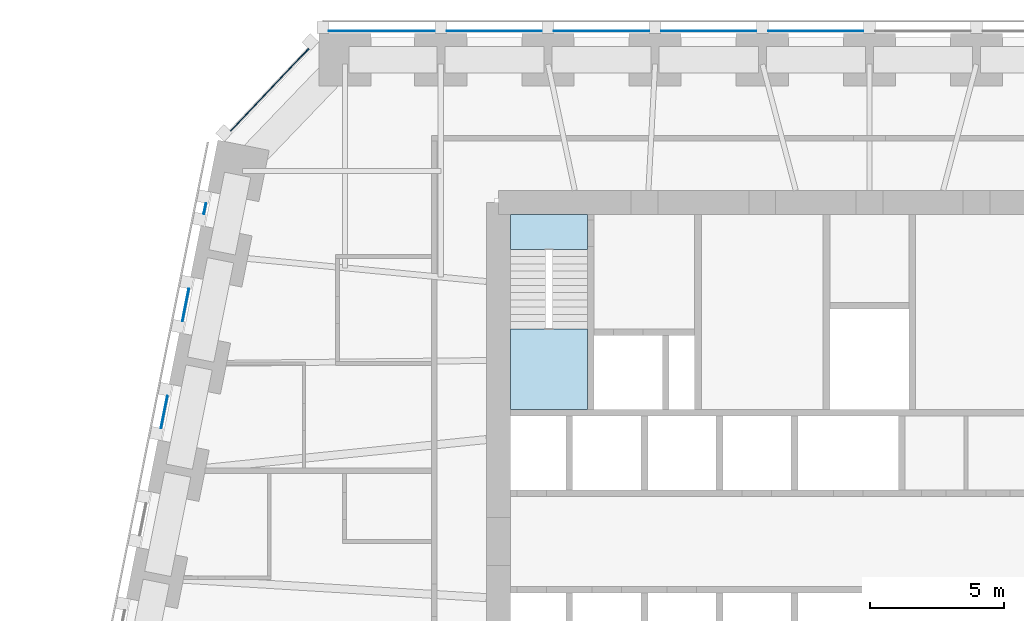
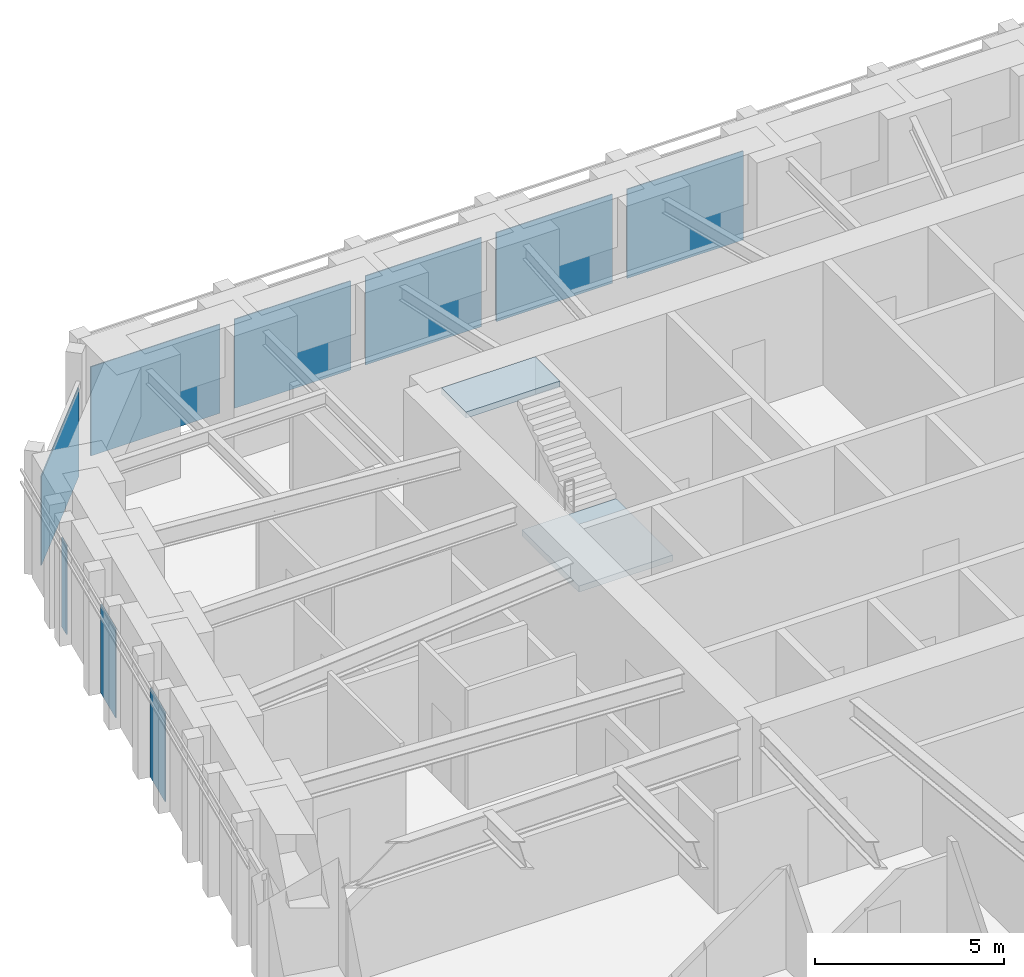
# One storey, part 10 of 16: 9 plates, 2 slabs, 6 elements without a shape of their own.
"""IFC4 building model written with IfcOpenShell, lengths in metres."""

from ifc_helpers import new_model, si_unit, direction, frame, origin, origin_2d, place, context, subcontext, project, spatial, polyline, rectangle, outline, extrude, material, layer, layer_set, type_object, element, aggregate, save


model = new_model("IFC4")

# Units and contexts
model_context = context("Model", 3, precision=1e-05, world=origin(), true_north=direction((0.0, 1.0)))
body_context = subcontext(model_context, "Body", "Model", "MODEL_VIEW")
ifc_project = project(units=[si_unit("LENGTHUNIT", "METRE"), si_unit("AREAUNIT", "SQUARE_METRE"), si_unit("VOLUMEUNIT", "CUBIC_METRE"), si_unit("PLANEANGLEUNIT", "RADIAN"), si_unit("MASSUNIT", "GRAM", prefix="KILO")], contexts=[model_context])

# Site, building, storey
site_placement = place(None, origin())
site = spatial("IfcSite", under=ifc_project, at=site_placement, CompositionType="ELEMENT")
building_placement = place(site_placement, origin())
building = spatial("IfcBuilding", under=site, at=building_placement, Name="Isbrekke Arena Tower", CompositionType="ELEMENT")
storey_placement = place(building_placement, frame((0.0, 0.0, 36.0)))
storey = spatial("IfcBuildingStorey", under=building, at=storey_placement, Name="L06", CompositionType="ELEMENT", Elevation=36.0)

# Curtain wall, plates
ifc_material_1 = material(Name="Glazed aluminium curtain wall", Category="aluminium")
curtain_wall_type = type_object("IfcCurtainWallType", Name="CWL TOWER CURTAIN WALL LOW ZONE", PredefinedType="USERDEFINED", material=ifc_material_1)
curtain_wall_1_placement = place(storey_placement, origin())
curtain_wall_1 = element("IfcCurtainWall", 1, at=curtain_wall_1_placement, inside=storey, type_object=curtain_wall_type, Name="CWL curtain wall L06-N", ObjectType="TOWER CURTAIN WALL LOW ZONE", PredefinedType="USERDEFINED")
ifc_material_2 = material(Name="Triple-glazed clear glass unit", Category="glass")
ifc_layer_1 = layer(ifc_material_2, 0.031982421875)
ifc_layer_set_1 = layer_set([ifc_layer_1], Name="CWL-P VISION PANEL")
plate_type = type_object("IfcPlateType", Name="CWL-P VISION PANEL", PredefinedType="CURTAIN_PANEL", material=ifc_layer_set_1)
plate_1_placement = place(storey_placement, frame((-2.0, 30.25, 0.02001953125), z_axis=(0.0, 0.0, 1.0), x_axis=(-1.0, 0.0, 0.0)))
plate_1 = element("IfcPlate", 2, at=plate_1_placement, type_object=plate_type, Name="CWL-P panel 6", PredefinedType="CURTAIN_PANEL", context=body_context, shape_type="SweptSolid", body=[
    extrude(rectangle(XDim=3.550048828125, YDim=0.031982421875, at=origin_2d()), origin(), (0.0, 0.0, 1.0), 2.8798828125),
])
plate_2_placement = place(storey_placement, frame((-6.0, 30.25, 0.02001953125), z_axis=(0.0, 0.0, 1.0), x_axis=(-1.0, 0.0, 0.0)))
plate_2 = element("IfcPlate", 3, at=plate_2_placement, type_object=plate_type, Name="CWL-P panel 7", PredefinedType="CURTAIN_PANEL", context=body_context, shape_type="SweptSolid", body=[
    extrude(rectangle(XDim=3.550048828125, YDim=0.031982421875, at=origin_2d()), origin(), (0.0, 0.0, 1.0), 2.8798828125),
])
plate_3_placement = place(storey_placement, frame((-10.0, 30.25, 0.02001953125), z_axis=(0.0, 0.0, 1.0), x_axis=(-1.0, 0.0, 0.0)))
plate_3 = element("IfcPlate", 4, at=plate_3_placement, type_object=plate_type, Name="CWL-P panel 8", PredefinedType="CURTAIN_PANEL", context=body_context, shape_type="SweptSolid", body=[
    extrude(rectangle(XDim=3.550048828125, YDim=0.031982421875, at=origin_2d()), origin(), (0.0, 0.0, 1.0), 2.8798828125),
])
plate_4_placement = place(storey_placement, frame((-14.0, 30.25, 0.02001953125), z_axis=(0.0, 0.0, 1.0), x_axis=(-1.0, 0.0, 0.0)))
plate_4 = element("IfcPlate", 5, at=plate_4_placement, type_object=plate_type, Name="CWL-P panel 9", PredefinedType="CURTAIN_PANEL", context=body_context, shape_type="SweptSolid", body=[
    extrude(rectangle(XDim=3.550048828125, YDim=0.031982421875, at=origin_2d()), origin(), (0.0, 0.0, 1.0), 2.8798828125),
])
plate_5_placement = place(storey_placement, frame((-18.199951171875, 30.25, 0.02001953125), z_axis=(0.0, 0.0, 1.0), x_axis=(-1.0, 0.0, 0.0)))
plate_5 = element("IfcPlate", 6, at=plate_5_placement, type_object=plate_type, Name="CWL-P panel 10", PredefinedType="CURTAIN_PANEL", context=body_context, shape_type="SweptSolid", body=[
    extrude(rectangle(XDim=3.949951171875, YDim=0.031982421875, at=origin_2d()), origin(), (0.0, 0.0, 1.0), 2.8798828125),
])
aggregate(curtain_wall_1, [plate_1, plate_2, plate_3, plate_4, plate_5])

# Curtain wall, plate
curtain_wall_2_placement = place(storey_placement, origin())
curtain_wall_2 = element("IfcCurtainWall", 7, at=curtain_wall_2_placement, inside=storey, type_object=curtain_wall_type, Name="CWL curtain wall L06-NW", ObjectType="TOWER CURTAIN WALL LOW ZONE", PredefinedType="USERDEFINED")
plate_6_placement = place(storey_placement, frame((-22.38623046875, 28.054443359375, 0.02001953125), z_axis=(0.0, 0.0, 1.0), x_axis=(-0.68874946192, -0.72499943359, 0.0)))
plate_6 = element("IfcPlate", 8, at=plate_6_placement, type_object=plate_type, Name="CWL-P panel 1", PredefinedType="CURTAIN_PANEL", context=body_context, shape_type="SweptSolid", body=[
    extrude(rectangle(XDim=4.22802734375, YDim=0.031982421875, at=origin_2d()), origin(), (0.0, 0.0, 1.0), 2.8798828125),
])
aggregate(curtain_wall_2, [plate_6])

curtain_wall_3_placement = place(storey_placement, origin())
curtain_wall_3 = element("IfcCurtainWall", 9, at=curtain_wall_3_placement, inside=storey, type_object=curtain_wall_type, Name="CWL curtain wall L06-W", ObjectType="TOWER CURTAIN WALL LOW ZONE", PredefinedType="USERDEFINED")
plate_7_placement = place(storey_placement, frame((-24.80322265625, 23.62109375, 0.02001953125), z_axis=(0.0, 0.0, 1.0), x_axis=(-0.196116135138, -0.980580675691, 0.0)))
plate_7 = element("IfcPlate", 10, at=plate_7_placement, type_object=plate_type, Name="CWL-P panel 1", PredefinedType="CURTAIN_PANEL", context=body_context, shape_type="SweptSolid", body=[
    extrude(rectangle(XDim=0.40625, YDim=0.031982421875, at=origin_2d()), origin(), (0.0, 0.0, 1.0), 2.8798828125),
])
aggregate(curtain_wall_3, [plate_7])

curtain_wall_4_placement = place(storey_placement, origin())
curtain_wall_4 = element("IfcCurtainWall", 11, at=curtain_wall_4_placement, inside=storey, type_object=curtain_wall_type, Name="CWL curtain wall L06-W3", ObjectType="TOWER CURTAIN WALL LOW ZONE", PredefinedType="USERDEFINED")
plate_8_placement = place(storey_placement, frame((-25.5224609375, 20.0244140625, 0.02001953125), z_axis=(0.0, 0.0, 1.0), x_axis=(-0.196116135138, -0.980580675691, 0.0)))
plate_8 = element("IfcPlate", 12, at=plate_8_placement, type_object=plate_type, Name="CWL-P panel 1", PredefinedType="CURTAIN_PANEL", context=body_context, shape_type="SweptSolid", body=[
    extrude(rectangle(XDim=1.229248046875, YDim=0.031982421875, at=origin_2d()), origin(), (0.0, 0.0, 1.0), 2.8798828125),
])
aggregate(curtain_wall_4, [plate_8])

curtain_wall_5_placement = place(storey_placement, origin())
curtain_wall_5 = element("IfcCurtainWall", 13, at=curtain_wall_5_placement, inside=storey, type_object=curtain_wall_type, Name="CWL curtain wall L06-W5", ObjectType="TOWER CURTAIN WALL LOW ZONE", PredefinedType="USERDEFINED")
plate_9_placement = place(storey_placement, frame((-26.322509765625, 16.0244140625, 0.02001953125), z_axis=(0.0, 0.0, 1.0), x_axis=(-0.196116135138, -0.980580675691, 0.0)))
plate_9 = element("IfcPlate", 14, at=plate_9_placement, type_object=plate_type, Name="CWL-P panel 1", PredefinedType="CURTAIN_PANEL", context=body_context, shape_type="SweptSolid", body=[
    extrude(rectangle(XDim=1.229248046875, YDim=0.031982421875, at=origin_2d()), origin(), (0.0, 0.0, 1.0), 2.8798828125),
])
aggregate(curtain_wall_5, [plate_9])

# Stair, slabs
ifc_material_3 = material(Name="Concrete B45 (C45/55) precast", Category="concrete")
stair_type = type_object("IfcStairType", Name="ST40 STAIR 1300 WIDE, 24 RISERS 167", PredefinedType="HALF_TURN_STAIR", material=ifc_material_3)
stair_placement = place(storey_placement, origin())
stair = element("IfcStair", 15, at=stair_placement, inside=storey, type_object=stair_type, Name="ST1 stair L06", PredefinedType="HALF_TURN_STAIR")
ifc_material_4 = material(Name="Concrete B35 (C35/45)", Category="concrete")
ifc_layer_2 = layer(ifc_material_4, 0.199951171875)
ifc_layer_set_2 = layer_set([ifc_layer_2], Name="SL1 STAIR LANDING 200")
slab_type = type_object("IfcSlabType", Name="SL1 STAIR LANDING 200", PredefinedType="LANDING", material=ifc_layer_set_2)
slab_1_placement = place(storey_placement, frame((0.0, 0.0, 1.800048828125)))
slab_1 = element("IfcSlab", 16, at=slab_1_placement, type_object=slab_type, Name="ST1 landing 1", PredefinedType="LANDING", context=body_context, shape_type="SweptSolid", body=[
    extrude(outline(polyline([(-13.39990234375, 16.125), (-10.52490234375, 16.125), (-10.52490234375, 19.1298828125), (-13.39990234375, 19.1298828125), (-13.39990234375, 16.125)])), origin(), (0.0, 0.0, 1.0), 0.199951171875),
])
slab_2_placement = place(storey_placement, frame((0.0, 0.0, 3.800048828125)))
slab_2 = element("IfcSlab", 17, at=slab_2_placement, type_object=slab_type, Name="ST1 landing 2", PredefinedType="LANDING", context=body_context, shape_type="SweptSolid", body=[
    extrude(outline(polyline([(-13.39990234375, 22.10009765625), (-10.52490234375, 22.10009765625), (-10.52490234375, 23.39990234375), (-13.39990234375, 23.39990234375), (-13.39990234375, 22.10009765625)])), origin(), (0.0, 0.0, 1.0), 0.199951171875),
])
aggregate(stair, [slab_1, slab_2])

save(model, "model.ifc")
